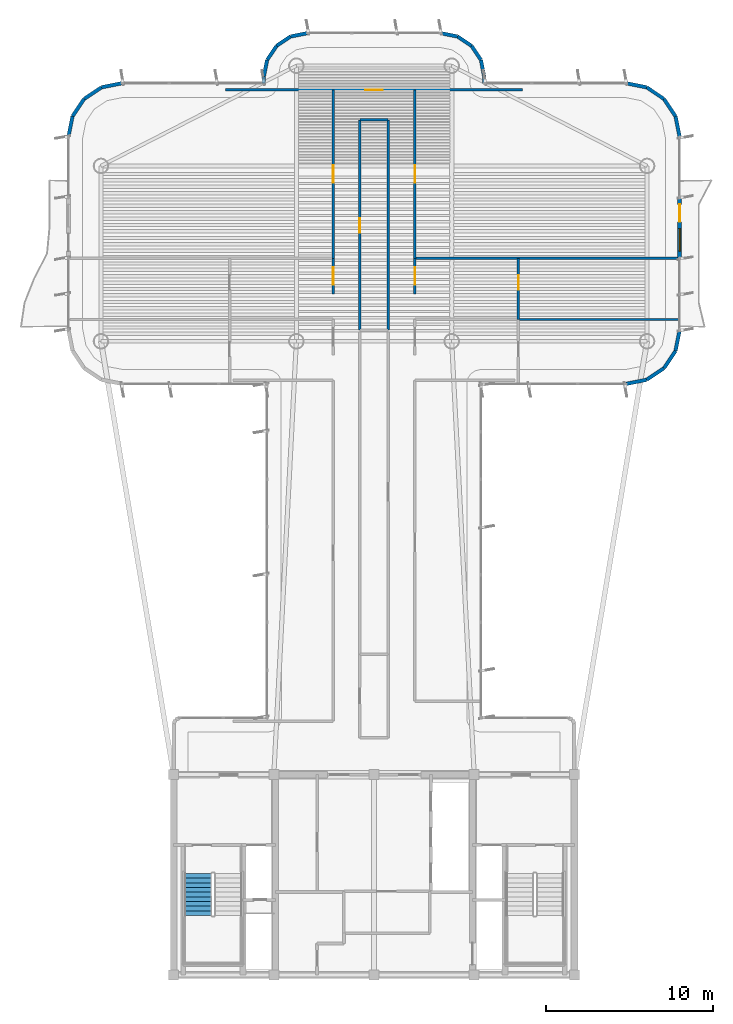
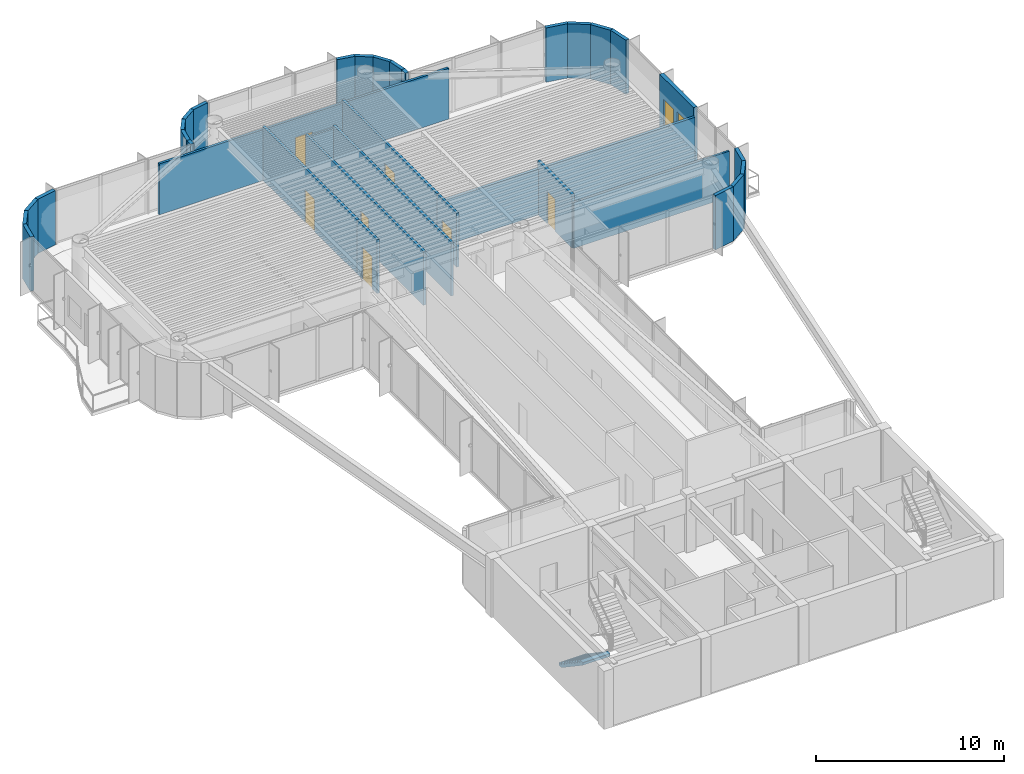
# One storey, part 12 of 15: 34 walls, 8 doors, 1 stair flight, 1 window, 9 openings, 1 element without a shape of its own.
"""IFC4 building model written with IfcOpenShell, lengths in metres."""

from ifc_helpers import new_model, si_unit, direction, frame, frame_2d, origin, origin_2d, place, context, subcontext, project, spatial, polyline, rectangle, outline, extrude, source, transform, mapped, material, layer, layer_set, type_object, element, fill, aggregate, save


model = new_model("IFC4")

# Units and contexts
model_context = context("Model", 3, precision=1e-05, world=origin(), true_north=direction((0.0, 1.0)))
body_context = subcontext(model_context, "Body", "Model", "MODEL_VIEW")
ifc_project = project(units=[si_unit("LENGTHUNIT", "METRE"), si_unit("AREAUNIT", "SQUARE_METRE"), si_unit("VOLUMEUNIT", "CUBIC_METRE"), si_unit("PLANEANGLEUNIT", "RADIAN"), si_unit("MASSUNIT", "GRAM", prefix="KILO")], contexts=[model_context])

# Site, building, storey
site_placement = place(None, origin())
site = spatial("IfcSite", under=ifc_project, at=site_placement, CompositionType="ELEMENT")
building_placement = place(site_placement, origin())
building = spatial("IfcBuilding", under=site, at=building_placement, Name="Brelvock Crest Care Tower", CompositionType="ELEMENT")
storey_placement = place(building_placement, frame((0.0, 0.0, 249.47998046875)))
storey = spatial("IfcBuildingStorey", under=building, at=storey_placement, Name="L63", CompositionType="ELEMENT", Elevation=249.47998046875)

# Wall, openings, door, window
ifc_material_1 = material(Name="Precast concrete N40 (40 MPa)", Category="concrete")
ifc_layer_1 = layer(ifc_material_1, 0.239990234375, Name="WL-EX1")
ifc_layer_set_1 = layer_set([ifc_layer_1], Name="Precast concrete N40 (40 MPa)")
wall_type_1 = type_object("IfcWallType", Name="WL-EX1", PredefinedType="SOLIDWALL", material=ifc_layer_set_1)
wall_1_placement = place(storey_placement, frame((54.300048828125, 52.550048828125, 0.0), z_axis=(0.0, 0.0, 1.0), x_axis=(0.0, -1.0, 0.0)))
wall_1 = element("IfcWall", 1, at=wall_1_placement, inside=storey, type_object=wall_type_1, Name="L63 Exterior Spandrel Wall WL-BAL-L63-E", PredefinedType="SOLIDWALL", context=body_context, shape_type="SweptSolid", body=[
    extrude(rectangle(XDim=3.60009765625, YDim=0.239990234375, at=frame_2d((1.800048828125, 0.0))), origin(), (0.0, 0.0, 1.0), 3.530029296875),
])
opening_1_placement = place(wall_1_placement, frame((0.39990234375, 0.0, 0.0)))
opening_1 = element("IfcOpeningElement", 2, at=opening_1_placement, cuts=wall_1, Name="Opening BD-1", PredefinedType="OPENING", context=body_context, shape_type="SweptSolid", body=[
    extrude(rectangle(XDim=1.050048828125, YDim=2.14990234375, at=origin_2d()), frame((0.52490234375, 0.1298828125, 1.074951171875), z_axis=(0.0, -1.0, 0.0), x_axis=(1.0, 0.0, 0.0)), (0.0, 0.0, 1.0), 0.260009765625),
])
opening_2_placement = place(wall_1_placement, frame((1.85009765625, 0.0, 0.85009765625)))
opening_2 = element("IfcOpeningElement", 3, at=opening_2_placement, cuts=wall_1, Name="Opening W-01", PredefinedType="OPENING", context=body_context, shape_type="SweptSolid", body=[
    extrude(rectangle(XDim=1.35009765625, YDim=1.35009765625, at=origin_2d()), frame((0.675048828125, 0.1298828125, 0.675048828125), z_axis=(0.0, -1.0, 0.0), x_axis=(1.0, 0.0, 0.0)), (0.0, 0.0, 1.0), 0.260009765625),
])
ifc_material_2 = material(Name="Dark Glass Double Glazed Low-E", Category="glass")
door_type_1 = type_object("IfcDoorType", Name="DR-BAL1", OperationType="NOTDEFINED", PredefinedType="DOOR", material=ifc_material_2)
shared_shape_1 = source(origin(), body_context, "Body", "SweptSolid", [
    extrude(rectangle(XDim=1.050048828125, YDim=2.14990234375, at=origin_2d()), frame((0.52490234375, 0.02490234375, 1.074951171875), z_axis=(0.0, -1.0, 0.0), x_axis=(1.0, 0.0, 0.0)), (0.0, 0.0, 1.0), 0.050048828125),
])
door_1_placement = place(opening_1_placement, origin())
door_1 = element("IfcDoor", 4, at=door_1_placement, inside=storey, type_object=door_type_1, Name="L63 E Wave Balcony Glazed Door", OperationType="SINGLE_SWING_RIGHT", OverallHeight=2.14990234375, OverallWidth=1.050048828125, PredefinedType="DOOR", context=body_context, shape_type="MappedRepresentation", body=[
    mapped(shared_shape_1, transform((0.0, 0.0, 0.0), x_axis=(1.0, 0.0, 0.0), y_axis=(0.0, 1.0, 0.0), z_axis=(0.0, 0.0, 1.0), scale=1.0)),
])
fill(opening_1, door_1)
window_type = type_object("IfcWindowType", Name="WN-EX1", PartitioningType="SINGLE_PANEL", PredefinedType="WINDOW", material=ifc_material_2)
shared_shape_2 = source(origin(), body_context, "Body", "SweptSolid", [
    extrude(rectangle(XDim=1.35009765625, YDim=1.35009765625, at=origin_2d()), frame((0.675048828125, 0.030029296875, 0.675048828125), z_axis=(0.0, -1.0, 0.0), x_axis=(1.0, 0.0, 0.0)), (0.0, 0.0, 1.0), 0.06005859375),
])
window_placement = place(opening_2_placement, origin())
window = element("IfcWindow", 5, at=window_placement, inside=storey, type_object=window_type, Name="L63 E Suite Casement Window", OverallHeight=1.35009765625, OverallWidth=1.35009765625, PartitioningType="SINGLE_PANEL", PredefinedType="WINDOW", context=body_context, shape_type="MappedRepresentation", body=[
    mapped(shared_shape_2, transform((0.0, 0.0, 0.0), x_axis=(1.0, 0.0, 0.0), y_axis=(0.0, 1.0, 0.0), z_axis=(0.0, 0.0, 1.0), scale=1.0)),
])
fill(opening_2, window)

# Walls
ifc_layer_2 = layer(ifc_material_1, 0.215087890625, Name="WL-EX2")
ifc_layer_set_2 = layer_set([ifc_layer_2], Name="Precast concrete N40 (40 MPa)")
wall_type_2 = type_object("IfcWallType", Name="WL-EX2", PredefinedType="SOLIDWALL", material=ifc_layer_set_2)
for number, where, z_axis, x_axis, name in (
    (6, (17.699951171875, 56.199951171875, 0.0), (0.0, 0.0, 1.0), (0.195138390419, 0.980775717779, 0.0), "L63 Rounded Corner Wall 18"),
    (7, (17.943603515625, 57.424560546875, 0.0), (0.0, 0.0, 1.0), (0.555557312883, 0.831478245117, 0.0), "L63 Rounded Corner Wall 19"),
    (8, (18.63720703125, 58.462646484375, 0.0), (0.0, 0.0, 1.0), (0.831387912822, 0.555692485475, 0.0), "L63 Rounded Corner Wall 20"),
    (9, (19.67529296875, 59.156494140625, 0.0), (0.0, 0.0, 1.0), (0.980813122964, 0.194950295773, 0.0), "L63 Rounded Corner Wall 21"),
):
    element("IfcWall", number, at=place(storey_placement, frame(where, z_axis=z_axis, x_axis=x_axis)), inside=storey, type_object=wall_type_2, Name=name, PredefinedType="SOLIDWALL", context=body_context, shape_type="SweptSolid", body=[
        extrude(rectangle(XDim=1.24853515625, YDim=0.215087890625, at=frame_2d((0.624267578125, 0.0))), origin(), (0.0, 0.0, 1.0), 3.530029296875),
    ])
wall_2_placement = place(storey_placement, frame((29.39990234375, 59.39990234375, 0.0), z_axis=(0.0, 0.0, 1.0), x_axis=(0.0, 1.0, 0.0)))
element("IfcWall", 10, at=wall_2_placement, inside=storey, type_object=wall_type_2, Name="L63 Rounded Corner Wall 23", PredefinedType="SOLIDWALL", context=body_context, shape_type="SweptSolid", body=[
    extrude(rectangle(XDim=0.400146484375, YDim=0.215087890625, at=frame_2d((0.2001953125, 0.0))), origin(), (0.0, 0.0, 1.0), 3.530029296875),
])
wall_3_placement = place(storey_placement, frame((29.39990234375, 59.800048828125, 0.0), z_axis=(0.0, 0.0, 1.0), x_axis=(0.195190360752, 0.980765376158, 0.0)))
element("IfcWall", 11, at=wall_3_placement, inside=storey, type_object=wall_type_2, Name="L63 Rounded Corner Wall 24", PredefinedType="SOLIDWALL", context=body_context, shape_type="SweptSolid", body=[
    extrude(rectangle(XDim=1.014404296875, YDim=0.215087890625, at=frame_2d((0.50732421875, 0.0))), origin(), (0.0, 0.0, 1.0), 3.530029296875),
])
wall_4_placement = place(storey_placement, frame((29.597900390625, 60.794921875, 0.0), z_axis=(0.0, 0.0, 1.0), x_axis=(0.555643898837, 0.831420385657, 0.0)))
element("IfcWall", 12, at=wall_4_placement, inside=storey, type_object=wall_type_2, Name="L63 Rounded Corner Wall 25", PredefinedType="SOLIDWALL", context=body_context, shape_type="SweptSolid", body=[
    extrude(rectangle(XDim=1.0146484375, YDim=0.215087890625, at=frame_2d((0.50732421875, 0.0))), origin(), (0.0, 0.0, 1.0), 3.530029296875),
])
wall_5_placement = place(storey_placement, frame((30.16162109375, 61.638427734375, 0.0), z_axis=(0.0, 0.0, 1.0), x_axis=(0.831346067305, 0.555755086685, 0.0)))
element("IfcWall", 13, at=wall_5_placement, inside=storey, type_object=wall_type_2, Name="L63 Rounded Corner Wall 26", PredefinedType="SOLIDWALL", context=body_context, shape_type="SweptSolid", body=[
    extrude(rectangle(XDim=1.014404296875, YDim=0.215087890625, at=frame_2d((0.50732421875, 0.0))), origin(), (0.0, 0.0, 1.0), 3.530029296875),
])
for number, where, z_axis, x_axis, name in (
    (14, (31.0048828125, 62.2021484375, 0.0), (0.0, 0.0, 1.0), (0.980820570666, 0.194912821943, 0.0), "L63 Rounded Corner Wall 27"),
    (15, (40.0, 62.39990234375, 0.0), (0.0, 0.0, 1.0), (0.980820570666, -0.194912821943, 0.0), "L63 Rounded Corner Wall 29"),
):
    element("IfcWall", number, at=place(storey_placement, frame(where, z_axis=z_axis, x_axis=x_axis)), inside=storey, type_object=wall_type_2, Name=name, PredefinedType="SOLIDWALL", context=body_context, shape_type="SweptSolid", body=[
        extrude(rectangle(XDim=1.0146484375, YDim=0.215087890625, at=frame_2d((0.50732421875, 0.0))), origin(), (0.0, 0.0, 1.0), 3.530029296875),
    ])
wall_6_placement = place(storey_placement, frame((40.9951171875, 62.2021484375, 0.0), z_axis=(0.0, 0.0, 1.0), x_axis=(0.831346067305, -0.555755086685, 0.0)))
element("IfcWall", 16, at=wall_6_placement, inside=storey, type_object=wall_type_2, Name="L63 Rounded Corner Wall 30", PredefinedType="SOLIDWALL", context=body_context, shape_type="SweptSolid", body=[
    extrude(rectangle(XDim=1.014404296875, YDim=0.215087890625, at=frame_2d((0.50732421875, 0.0))), origin(), (0.0, 0.0, 1.0), 3.530029296875),
])
wall_7_placement = place(storey_placement, frame((41.83837890625, 61.638427734375, 0.0), z_axis=(0.0, 0.0, 1.0), x_axis=(0.555643898837, -0.831420385657, 0.0)))
element("IfcWall", 17, at=wall_7_placement, inside=storey, type_object=wall_type_2, Name="L63 Rounded Corner Wall 31", PredefinedType="SOLIDWALL", context=body_context, shape_type="SweptSolid", body=[
    extrude(rectangle(XDim=1.0146484375, YDim=0.215087890625, at=frame_2d((0.50732421875, 0.0))), origin(), (0.0, 0.0, 1.0), 3.530029296875),
])
wall_8_placement = place(storey_placement, frame((42.402099609375, 60.794921875, 0.0), z_axis=(0.0, 0.0, 1.0), x_axis=(0.195190360752, -0.980765376158, 0.0)))
element("IfcWall", 18, at=wall_8_placement, inside=storey, type_object=wall_type_2, Name="L63 Rounded Corner Wall 32", PredefinedType="SOLIDWALL", context=body_context, shape_type="SweptSolid", body=[
    extrude(rectangle(XDim=1.014404296875, YDim=0.215087890625, at=frame_2d((0.50732421875, 0.0))), origin(), (0.0, 0.0, 1.0), 3.530029296875),
])
wall_9_placement = place(storey_placement, frame((42.60009765625, 59.800048828125, 0.0), z_axis=(0.0, 0.0, 1.0), x_axis=(0.0, -1.0, 0.0)))
element("IfcWall", 19, at=wall_9_placement, inside=storey, type_object=wall_type_2, Name="L63 Rounded Corner Wall 33", PredefinedType="SOLIDWALL", context=body_context, shape_type="SweptSolid", body=[
    extrude(rectangle(XDim=0.400146484375, YDim=0.215087890625, at=frame_2d((0.2001953125, 0.0))), origin(), (0.0, 0.0, 1.0), 3.530029296875),
])
for number, where, z_axis, x_axis, name in (
    (20, (51.10009765625, 59.39990234375, 0.0), (0.0, 0.0, 1.0), (0.980813122964, -0.194950295773, 0.0), "L63 Rounded Corner Wall 35"),
    (21, (52.32470703125, 59.156494140625, 0.0), (0.0, 0.0, 1.0), (0.831387912822, -0.555692485475, 0.0), "L63 Rounded Corner Wall 36"),
    (22, (53.36279296875, 58.462646484375, 0.0), (0.0, 0.0, 1.0), (0.555557312883, -0.831478245117, 0.0), "L63 Rounded Corner Wall 37"),
    (23, (54.056396484375, 57.424560546875, 0.0), (0.0, 0.0, 1.0), (0.195138390419, -0.980775717779, 0.0), "L63 Rounded Corner Wall 38"),
    (24, (54.300048828125, 44.60009765625, 0.0), (0.0, 0.0, 1.0), (-0.195138390419, -0.980775717779, 0.0), "L63 Rounded Corner Wall 40"),
    (25, (54.056396484375, 43.37548828125, 0.0), (0.0, 0.0, 1.0), (-0.555557312883, -0.831478245117, 0.0), "L63 Rounded Corner Wall 41"),
    (26, (53.36279296875, 42.33740234375, 0.0), (0.0, 0.0, 1.0), (-0.831387912822, -0.555692485475, 0.0), "L63 Rounded Corner Wall 42"),
    (27, (52.32470703125, 41.6435546875, 0.0), (0.0, 0.0, 1.0), (-0.980775717779, -0.195138390419, 0.0), "L63 Rounded Corner Wall 43"),
):
    element("IfcWall", number, at=place(storey_placement, frame(where, z_axis=z_axis, x_axis=x_axis)), inside=storey, type_object=wall_type_2, Name=name, PredefinedType="SOLIDWALL", context=body_context, shape_type="SweptSolid", body=[
        extrude(rectangle(XDim=1.24853515625, YDim=0.215087890625, at=frame_2d((0.624267578125, 0.0))), origin(), (0.0, 0.0, 1.0), 3.530029296875),
    ])
ifc_material_3 = material(Name="Masonry Blockwork Acoustic Partition", Category="masonry")
ifc_layer_3 = layer(ifc_material_3, 0.14990234375, Name="WL-INT1")
ifc_layer_set_3 = layer_set([ifc_layer_3], Name="Masonry Blockwork Acoustic Partition")
wall_type_3 = type_object("IfcWallType", Name="WL-INT1", PredefinedType="PARTITIONING", material=ifc_layer_set_3)
wall_10_placement = place(storey_placement, frame((38.449951171875, 48.907958984375, 0.0), z_axis=(0.0, 0.0, 1.0), x_axis=(1.0, 0.0, 0.0)))
element("IfcWall", 28, at=wall_10_placement, inside=storey, type_object=wall_type_3, Name="L63 Interior Wall WL-BX-L63-ERC-S", PredefinedType="PARTITIONING", context=body_context, shape_type="SweptSolid", body=[
    extrude(rectangle(XDim=15.77001953125, YDim=0.14990234375, at=frame_2d((7.885009765625, 0.0))), origin(), (0.0, 0.0, 1.0), 2.98193359375),
])
wall_11_placement = place(storey_placement, frame((35.14990234375, 57.199951171875, 0.0), z_axis=(0.0, 0.0, 1.0), x_axis=(1.0, 0.0, 0.0)))
element("IfcWall", 29, at=wall_11_placement, inside=storey, type_object=wall_type_3, Name="L63 Interior Wall WL-BX-L63-ISKT-N", PredefinedType="PARTITIONING", context=body_context, shape_type="SweptSolid", body=[
    extrude(rectangle(XDim=1.7001953125, YDim=0.14990234375, at=frame_2d((0.85009765625, 0.0))), origin(), (0.0, 0.0, 1.0), 3.30810546875),
])

# Wall, opening, door
wall_12_placement = place(storey_placement, frame((27.10009765625, 59.0, 0.0), z_axis=(0.0, 0.0, 1.0), x_axis=(1.0, 0.0, 0.0)))
wall_12 = element("IfcWall", 30, at=wall_12_placement, inside=storey, type_object=wall_type_3, Name="L63 Interior Wall WL-RM-L63-NHUB", PredefinedType="PARTITIONING", context=body_context, shape_type="SweptSolid", body=[
    extrude(rectangle(XDim=17.7998046875, YDim=0.14990234375, at=frame_2d((8.89990234375, 0.0))), origin(), (0.0, 0.0, 1.0), 3.30810546875),
])
opening_3_placement = place(wall_12_placement, frame((8.375, 0.0, 0.0)))
opening_3 = element("IfcOpeningElement", 31, at=opening_3_placement, cuts=wall_12, Name="Opening CLD-1", PredefinedType="OPENING", context=body_context, shape_type="SweptSolid", body=[
    extrude(rectangle(XDim=1.050048828125, YDim=2.10009765625, at=origin_2d()), frame((0.52490234375, 0.0849609375, 1.050048828125), z_axis=(0.0, -1.0, 0.0), x_axis=(1.0, 0.0, 0.0)), (0.0, 0.0, 1.0), 0.169921875),
])
ifc_material_4 = material(Name="Engineered Hardwood Timber", Category="wood")
door_type_2 = type_object("IfcDoorType", Name="DR-CLN1", OperationType="NOTDEFINED", PredefinedType="DOOR", material=ifc_material_4)
shared_shape_3 = source(origin(), body_context, "Body", "SweptSolid", [
    extrude(rectangle(XDim=1.050048828125, YDim=2.10009765625, at=origin_2d()), frame((0.52490234375, 0.02490234375, 1.050048828125), z_axis=(0.0, -1.0, 0.0), x_axis=(1.0, 0.0, 0.0)), (0.0, 0.0, 1.0), 0.050048828125),
])
door_2_placement = place(opening_3_placement, origin())
door_2 = element("IfcDoor", 32, at=door_2_placement, inside=storey, type_object=door_type_2, Name="L63 North Crest Conservatory Lounge Door NHUB", OperationType="SINGLE_SWING_LEFT", OverallHeight=2.10009765625, OverallWidth=1.050048828125, PredefinedType="DOOR", context=body_context, shape_type="MappedRepresentation", body=[
    mapped(shared_shape_3, transform((0.0, 0.0, 0.0), x_axis=(1.0, 0.0, 0.0), y_axis=(0.0, 1.0, 0.0), z_axis=(0.0, 0.0, 1.0), scale=1.0)),
])
fill(opening_3, door_2)

wall_13_placement = place(storey_placement, frame((33.550048828125, 46.7890625, 0.0), z_axis=(0.0, 0.0, 1.0), x_axis=(0.0, 1.0, 0.0)))
wall_13 = element("IfcWall", 33, at=wall_13_placement, inside=storey, type_object=wall_type_3, Name="L63 Interior Wall WL-CENT-L63-WR1B", PredefinedType="PARTITIONING", context=body_context, shape_type="SweptSolid", body=[
    extrude(rectangle(XDim=2.118896484375, YDim=0.14990234375, at=frame_2d((1.0595703125, 0.0))), origin(), (0.0, 0.0, 1.0), 3.5),
])
opening_4_placement = place(wall_13_placement, frame((0.5390625, 0.0, 0.0)))
opening_4 = element("IfcOpeningElement", 34, at=opening_4_placement, cuts=wall_13, Name="Opening CD-1", PredefinedType="OPENING", context=body_context, shape_type="SweptSolid", body=[
    extrude(rectangle(XDim=1.050048828125, YDim=2.10009765625, at=origin_2d()), frame((0.52490234375, 0.0849609375, 1.050048828125), z_axis=(0.0, -1.0, 0.0), x_axis=(1.0, 0.0, 0.0)), (0.0, 0.0, 1.0), 0.169921875),
])
door_type_3 = type_object("IfcDoorType", Name="DR-CARE1", OperationType="NOTDEFINED", PredefinedType="DOOR", material=ifc_material_4)
shared_shape_4 = source(origin(), body_context, "Body", "SweptSolid", [
    extrude(rectangle(XDim=1.050048828125, YDim=2.10009765625, at=origin_2d()), frame((0.52490234375, 0.02490234375, 1.050048828125), z_axis=(0.0, -1.0, 0.0), x_axis=(1.0, 0.0, 0.0)), (0.0, 0.0, 1.0), 0.050048828125),
])
door_3_placement = place(opening_4_placement, origin())
door_3 = element("IfcDoor", 35, at=door_3_placement, inside=storey, type_object=door_type_3, Name="L63 Care Suite Door WR1B", OperationType="SINGLE_SWING_LEFT", OverallHeight=2.10009765625, OverallWidth=1.050048828125, PredefinedType="DOOR", context=body_context, shape_type="MappedRepresentation", body=[
    mapped(shared_shape_4, transform((0.0, 0.0, 0.0), x_axis=(1.0, 0.0, 0.0), y_axis=(0.0, 1.0, 0.0), z_axis=(0.0, 0.0, 1.0), scale=1.0)),
])
fill(opening_4, door_3)

wall_14_placement = place(storey_placement, frame((33.550048828125, 48.907958984375, 0.0), z_axis=(0.0, 0.0, 1.0), x_axis=(0.0, 1.0, 0.0)))
wall_14 = element("IfcWall", 36, at=wall_14_placement, inside=storey, type_object=wall_type_3, Name="L63 Interior Wall WL-RM-L63-WRC", PredefinedType="PARTITIONING", context=body_context, shape_type="SweptSolid", body=[
    extrude(rectangle(XDim=10.092041015625, YDim=0.14990234375, at=frame_2d((5.0458984375, 0.0))), origin(), (0.0, 0.0, 1.0), 3.5),
])
opening_5_placement = place(wall_14_placement, frame((4.52099609375, 0.0, 0.0)))
opening_5 = element("IfcOpeningElement", 37, at=opening_5_placement, cuts=wall_14, Name="Opening CLD-1", PredefinedType="OPENING", context=body_context, shape_type="SweptSolid", body=[
    extrude(rectangle(XDim=1.050048828125, YDim=2.10009765625, at=origin_2d()), frame((0.52490234375, 0.0849609375, 1.050048828125), z_axis=(0.0, -1.0, 0.0), x_axis=(1.0, 0.0, 0.0)), (0.0, 0.0, 1.0), 0.169921875),
])
door_4_placement = place(opening_5_placement, origin())
door_4 = element("IfcDoor", 38, at=door_4_placement, inside=storey, type_object=door_type_2, Name="L63 Neurological Rehab Studio Door WRC", OperationType="SINGLE_SWING_LEFT", OverallHeight=2.10009765625, OverallWidth=1.050048828125, PredefinedType="DOOR", context=body_context, shape_type="MappedRepresentation", body=[
    mapped(shared_shape_3, transform((0.0, 0.0, 0.0), x_axis=(1.0, 0.0, 0.0), y_axis=(0.0, 1.0, 0.0), z_axis=(0.0, 0.0, 1.0), scale=1.0)),
])
fill(opening_5, door_4)

wall_15_placement = place(storey_placement, frame((35.14990234375, 44.6201171875, 0.0), z_axis=(0.0, 0.0, 1.0), x_axis=(0.0, 1.0, 0.0)))
wall_15 = element("IfcWall", 39, at=wall_15_placement, inside=storey, type_object=wall_type_3, Name="L63 Interior Wall WL-RM-L63-ISKT", PredefinedType="PARTITIONING", context=body_context, shape_type="SweptSolid", body=[
    extrude(rectangle(XDim=12.579833984375, YDim=0.14990234375, at=frame_2d((6.2900390625, 0.0))), origin(), (0.0, 0.0, 1.0), 3.5),
])
opening_6_placement = place(wall_15_placement, frame((5.830078125, 0.0, 0.0)))
opening_6 = element("IfcOpeningElement", 40, at=opening_6_placement, cuts=wall_15, Name="Opening ID-1", PredefinedType="OPENING", context=body_context, shape_type="SweptSolid", body=[
    extrude(rectangle(XDim=0.860107421875, YDim=2.10009765625, at=origin_2d()), frame((0.43017578125, 0.0849609375, 1.050048828125), z_axis=(0.0, -1.0, 0.0), x_axis=(1.0, 0.0, 0.0)), (0.0, 0.0, 1.0), 0.169921875),
])
door_type_4 = type_object("IfcDoorType", Name="DR-INT1", OperationType="NOTDEFINED", PredefinedType="DOOR", material=ifc_material_4)
shared_shape_5 = source(origin(), body_context, "Body", "SweptSolid", [
    extrude(rectangle(XDim=0.860107421875, YDim=2.10009765625, at=origin_2d()), frame((0.43017578125, 0.02490234375, 1.050048828125), z_axis=(0.0, -1.0, 0.0), x_axis=(1.0, 0.0, 0.0)), (0.0, 0.0, 1.0), 0.050048828125),
])
door_5_placement = place(opening_6_placement, origin())
door_5 = element("IfcDoor", 41, at=door_5_placement, inside=storey, type_object=door_type_4, Name="L63 Communal Tea and Nutrition Pantry Door ISKT", OperationType="SINGLE_SWING_LEFT", OverallHeight=2.10009765625, OverallWidth=0.860107421875, PredefinedType="DOOR", context=body_context, shape_type="MappedRepresentation", body=[
    mapped(shared_shape_5, transform((0.0, 0.0, 0.0), x_axis=(1.0, 0.0, 0.0), y_axis=(0.0, 1.0, 0.0), z_axis=(0.0, 0.0, 1.0), scale=1.0)),
])
fill(opening_6, door_5)

# Wall
wall_16_placement = place(storey_placement, frame((36.85009765625, 44.6201171875, 0.0), z_axis=(0.0, 0.0, 1.0), x_axis=(0.0, 1.0, 0.0)))
element("IfcWall", 42, at=wall_16_placement, inside=storey, type_object=wall_type_3, Name="L63 Interior Wall WL-BX-L63-ISKT-E", PredefinedType="PARTITIONING", context=body_context, shape_type="SweptSolid", body=[
    extrude(rectangle(XDim=12.579833984375, YDim=0.14990234375, at=frame_2d((6.2900390625, 0.0))), origin(), (0.0, 0.0, 1.0), 3.5),
])

# Wall, opening, door
wall_17_placement = place(storey_placement, frame((38.449951171875, 46.7890625, 0.0), z_axis=(0.0, 0.0, 1.0), x_axis=(0.0, 1.0, 0.0)))
wall_17 = element("IfcWall", 43, at=wall_17_placement, inside=storey, type_object=wall_type_3, Name="L63 Interior Wall WL-CENT-L63-ER1B", PredefinedType="PARTITIONING", context=body_context, shape_type="SweptSolid", body=[
    extrude(rectangle(XDim=2.118896484375, YDim=0.14990234375, at=frame_2d((1.0595703125, 0.0))), origin(), (0.0, 0.0, 1.0), 3.5),
])
opening_7_placement = place(wall_17_placement, frame((0.5390625, 0.0, 0.0)))
opening_7 = element("IfcOpeningElement", 44, at=opening_7_placement, cuts=wall_17, Name="Opening CD-1", PredefinedType="OPENING", context=body_context, shape_type="SweptSolid", body=[
    extrude(rectangle(XDim=1.050048828125, YDim=2.10009765625, at=origin_2d()), frame((0.52490234375, 0.0849609375, 1.050048828125), z_axis=(0.0, -1.0, 0.0), x_axis=(1.0, 0.0, 0.0)), (0.0, 0.0, 1.0), 0.169921875),
])
door_6_placement = place(opening_7_placement, origin())
door_6 = element("IfcDoor", 45, at=door_6_placement, inside=storey, type_object=door_type_3, Name="L63 Care Suite Door ER1B", OperationType="SINGLE_SWING_LEFT", OverallHeight=2.10009765625, OverallWidth=1.050048828125, PredefinedType="DOOR", context=body_context, shape_type="MappedRepresentation", body=[
    mapped(shared_shape_4, transform((0.0, 0.0, 0.0), x_axis=(1.0, 0.0, 0.0), y_axis=(0.0, 1.0, 0.0), z_axis=(0.0, 0.0, 1.0), scale=1.0)),
])
fill(opening_7, door_6)

wall_18_placement = place(storey_placement, frame((38.449951171875, 48.907958984375, 0.0), z_axis=(0.0, 0.0, 1.0), x_axis=(0.0, 1.0, 0.0)))
wall_18 = element("IfcWall", 46, at=wall_18_placement, inside=storey, type_object=wall_type_3, Name="L63 Interior Wall WL-RM-L63-ERC", PredefinedType="PARTITIONING", context=body_context, shape_type="SweptSolid", body=[
    extrude(rectangle(XDim=10.092041015625, YDim=0.14990234375, at=frame_2d((5.0458984375, 0.0))), origin(), (0.0, 0.0, 1.0), 3.5),
])
opening_8_placement = place(wall_18_placement, frame((4.52099609375, 0.0, 0.0)))
opening_8 = element("IfcOpeningElement", 47, at=opening_8_placement, cuts=wall_18, Name="Opening CLD-1", PredefinedType="OPENING", context=body_context, shape_type="SweptSolid", body=[
    extrude(rectangle(XDim=1.050048828125, YDim=2.10009765625, at=origin_2d()), frame((0.52490234375, 0.0849609375, 1.050048828125), z_axis=(0.0, -1.0, 0.0), x_axis=(1.0, 0.0, 0.0)), (0.0, 0.0, 1.0), 0.169921875),
])
door_7_placement = place(opening_8_placement, origin())
door_7 = element("IfcDoor", 48, at=door_7_placement, inside=storey, type_object=door_type_2, Name="L63 Cardiopulmonary Rehab Suite Door ERC", OperationType="SINGLE_SWING_LEFT", OverallHeight=2.10009765625, OverallWidth=1.050048828125, PredefinedType="DOOR", context=body_context, shape_type="MappedRepresentation", body=[
    mapped(shared_shape_3, transform((0.0, 0.0, 0.0), x_axis=(1.0, 0.0, 0.0), y_axis=(0.0, 1.0, 0.0), z_axis=(0.0, 0.0, 1.0), scale=1.0)),
])
fill(opening_8, door_7)

wall_19_placement = place(storey_placement, frame((44.64990234375, 45.25390625, 0.0), z_axis=(0.0, 0.0, 1.0), x_axis=(0.0, 1.0, 0.0)))
wall_19 = element("IfcWall", 49, at=wall_19_placement, inside=storey, type_object=wall_type_3, Name="L63 Interior Wall WL-RM-L63-ER1BS", PredefinedType="PARTITIONING", context=body_context, shape_type="SweptSolid", body=[
    extrude(rectangle(XDim=3.654052734375, YDim=0.14990234375, at=frame_2d((1.8271484375, 0.0))), origin(), (0.0, 0.0, 1.0), 3.5),
])
opening_9_placement = place(wall_19_placement, frame((1.785888671875, 0.0, 0.0)))
opening_9 = element("IfcOpeningElement", 50, at=opening_9_placement, cuts=wall_19, Name="Opening ID-1", PredefinedType="OPENING", context=body_context, shape_type="SweptSolid", body=[
    extrude(rectangle(XDim=0.860107421875, YDim=2.10009765625, at=origin_2d()), frame((0.43017578125, 0.0849609375, 1.050048828125), z_axis=(0.0, -1.0, 0.0), x_axis=(1.0, 0.0, 0.0)), (0.0, 0.0, 1.0), 0.169921875),
])
door_8_placement = place(opening_9_placement, origin())
door_8 = element("IfcDoor", 51, at=door_8_placement, inside=storey, type_object=door_type_4, Name="L63 Rehab Recovery Mobility Store Door ER1BS", OperationType="SINGLE_SWING_LEFT", OverallHeight=2.10009765625, OverallWidth=0.860107421875, PredefinedType="DOOR", context=body_context, shape_type="MappedRepresentation", body=[
    mapped(shared_shape_5, transform((0.0, 0.0, 0.0), x_axis=(1.0, 0.0, 0.0), y_axis=(0.0, 1.0, 0.0), z_axis=(0.0, 0.0, 1.0), scale=1.0)),
])
fill(opening_9, door_8)

# Wall
ifc_material_5 = material(Name="Gypsum Plasterboard Partition", Category="gypsum")
ifc_layer_4 = layer(ifc_material_5, 0.1201171875, Name="WL-INT2")
ifc_layer_set_4 = layer_set([ifc_layer_4], Name="Gypsum Plasterboard Partition")
wall_type_4 = type_object("IfcWallType", Name="WL-INT2", PredefinedType="PARTITIONING", material=ifc_layer_set_4)
wall_20_placement = place(storey_placement, frame((44.64990234375, 45.25390625, 0.0), z_axis=(0.0, 0.0, 1.0), x_axis=(1.0, 0.0, 0.0)))
element("IfcWall", 52, at=wall_20_placement, inside=storey, type_object=wall_type_4, Name="L63 Interior Wall WL-BX-L63-ER1AS-N", PredefinedType="PARTITIONING", context=body_context, shape_type="SweptSolid", body=[
    extrude(rectangle(XDim=9.570068359375, YDim=0.1201171875, at=frame_2d((4.78515625, 0.0))), origin(), (0.0, 0.0, 1.0), 2.98193359375),
])

# Stair, stair flight
ifc_material_6 = material(Name="Concrete N40 (40 MPa)", Category="concrete")
stair_type = type_object("IfcStairType", Name="ST-CORE1", PredefinedType="HALF_TURN_STAIR", material=ifc_material_6)
stair_placement = place(storey_placement, origin())
stair = element("IfcStair", 53, at=stair_placement, inside=storey, type_object=stair_type, Name="L63 Fire-Isolated Core Stair ST-1", PredefinedType="HALF_TURN_STAIR")
stair_flight_type = type_object("IfcStairFlightType", Name="STF-1", PredefinedType="STRAIGHT", material=ifc_material_6)
stair_flight_placement = place(storey_placement, frame((25.469970703125, 12.080078125, 0.0), z_axis=(0.0, 0.0, 1.0), x_axis=(0.0, -1.0, 0.0)))
stair_flight = element("IfcStairFlight", 54, at=stair_flight_placement, type_object=stair_flight_type, Name="ST-1 flight 1", NumberOfRisers=10, NumberOfTreads=9, PredefinedType="STRAIGHT", RiserHeight=0.189, TreadLength=0.28, context=body_context, shape_type="SweptSolid", body=[
    extrude(outline(polyline([(-0.00390625, -0.014892578125), (-0.00390625, -0.0078125), (-0.00390625, -0.00048828125), (-0.00390625, 0.0068359375), (-0.00390625, 0.01416015625), (-0.00390625, 0.021484375), (-0.00390625, 0.02880859375), (-0.00390625, 0.035888671875), (-0.00390625, 0.043212890625), (-0.00390625, 0.050537109375), (-0.00390625, 0.057861328125), (-0.00390625, 0.065185546875), (-0.00390625, 0.072509765625), (-0.00390625, 0.07958984375), (-0.00390625, 0.0869140625), (-0.00390625, 0.09423828125), (-0.00390625, 0.1015625), (-0.00390625, 0.10888671875), (-0.00390625, 0.1162109375), (-0.00390625, 0.12353515625), (-0.00390625, 0.130615234375), (-0.00390625, 0.137939453125), (-0.00390625, 0.145263671875), (-0.00390625, 0.152587890625), (-0.00390625, 0.159912109375), (-0.00390625, 0.167236328125), (-0.00390625, 0.17431640625), (-0.00390625, 0.181640625), (-0.00390625, 0.18896484375), (0.0, 0.18896484375), (0.280029296875, 0.18896484375), (0.280029296875, 0.3779296875), (0.56005859375, 0.3779296875), (0.56005859375, 0.56689453125), (0.840087890625, 0.56689453125), (0.840087890625, 0.756103515625), (1.1201171875, 0.756103515625), (1.1201171875, 0.945068359375), (1.39990234375, 0.945068359375), (1.39990234375, 1.134033203125), (1.679931640625, 1.134033203125), (1.679931640625, 1.322998046875), (1.9599609375, 1.322998046875), (1.9599609375, 1.511962890625), (2.239990234375, 1.511962890625), (2.239990234375, 1.700927734375), (2.52001953125, 1.700927734375), (2.52392578125, 1.700927734375), (2.523681640625, 1.70068359375), (2.52392578125, 1.700439453125), (2.523681640625, 1.699951171875), (2.52392578125, 1.69970703125), (2.523681640625, 1.699462890625), (2.52392578125, 1.698974609375), (2.523681640625, 1.69873046875), (2.52392578125, 1.698486328125), (2.523681640625, 1.697998046875), (2.52392578125, 1.69775390625), (2.523681640625, 1.697509765625), (2.52392578125, 1.697021484375), (2.523681640625, 1.69677734375), (2.52392578125, 1.696533203125), (2.523681640625, 1.6962890625), (2.52392578125, 1.69580078125), (2.523681640625, 1.695556640625), (2.52392578125, 1.6953125), (2.523681640625, 1.69482421875), (2.52392578125, 1.694580078125), (2.523681640625, 1.6943359375), (2.52392578125, 1.69384765625), (2.523681640625, 1.693603515625), (2.52392578125, 1.693359375), (2.523681640625, 1.69287109375), (2.52392578125, 1.692626953125), (2.523681640625, 1.6923828125), (2.52392578125, 1.69189453125), (2.52001953125, 1.520263671875), (0.267822265625, 0.0), (0.0, 0.0), (0.0, -0.014892578125), (-0.00390625, -0.014892578125)])), frame((0.0, 0.83984375, 0.0), z_axis=(0.0, -1.0, 0.0), x_axis=(1.0, 0.0, 0.0)), (0.0, 0.0, 1.0), 1.679931640625),
])
aggregate(stair, [stair_flight])

save(model, "model.ifc")
